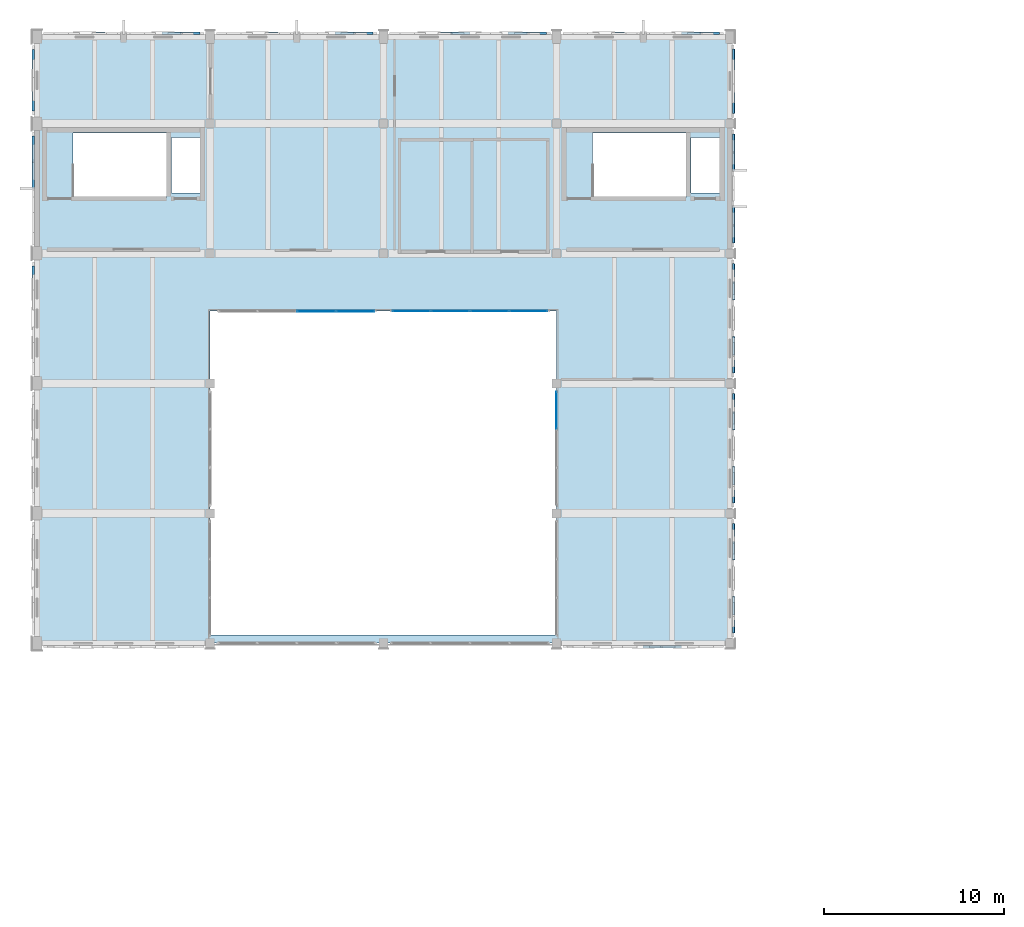
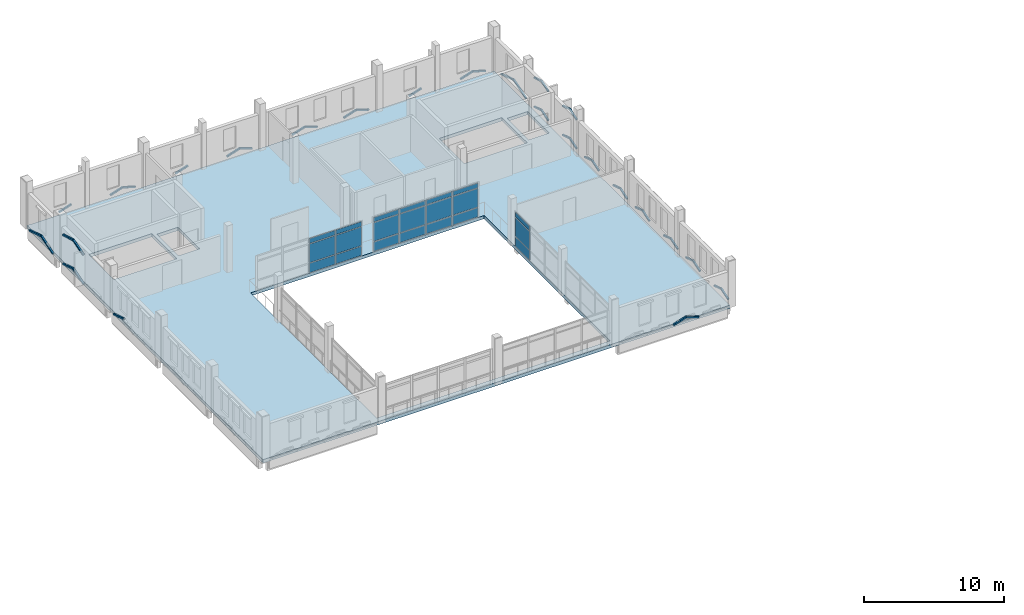
# One storey, part 14 of 24: 65 plates, 1 slab, 3 elements without a shape of their own.
"""IFC4 building model written with IfcOpenShell, lengths in metres."""

from ifc_helpers import new_model, si_unit, direction, frame, origin, origin_2d, place, context, subcontext, project, spatial, polyline, rectangle, hollow_rectangle, outline, extrude, material, layer, layer_set, material_profile, profile_set, type_object, element, aggregate, save


model = new_model("IFC4")

# Units and contexts
model_context = context("Model", 3, precision=1e-05, world=origin(), true_north=direction((0.0, 1.0)))
body_context = subcontext(model_context, "Body", "Model", "MODEL_VIEW")
ifc_project = project(units=[si_unit("LENGTHUNIT", "METRE"), si_unit("AREAUNIT", "SQUARE_METRE"), si_unit("VOLUMEUNIT", "CUBIC_METRE"), si_unit("PLANEANGLEUNIT", "RADIAN"), si_unit("MASSUNIT", "GRAM", prefix="KILO")], contexts=[model_context])

# Site, building, storey
site_placement = place(None, origin())
site = spatial("IfcSite", under=ifc_project, at=site_placement, CompositionType="ELEMENT")
building_placement = place(site_placement, origin())
building = spatial("IfcBuilding", under=site, at=building_placement, Name="Asteropetra Specialist Clinic", CompositionType="ELEMENT")
storey_placement = place(building_placement, frame((0.0, 0.0, 20.739990234375)))
storey = spatial("IfcBuildingStorey", under=building, at=storey_placement, Name="L05", CompositionType="ELEMENT", Elevation=20.739990234375)

# Plates
ifc_material_1 = material(Name="Chevron emerald aluminium 6063-T6", Category="aluminium")
ifc_material_profile = material_profile(ifc_material_1, hollow_rectangle(XDim=0.139892578125, YDim=0.139892578125, WallThickness=0.008056640625, InnerFilletRadius=0.008056640625, OuterFilletRadius=0.01611328125, at=origin_2d()), Name="SHS 140x140x8.0")
ifc_profile_set = profile_set([ifc_material_profile], Name="Chevron emerald aluminium 6063-T6")
plate_type_1 = type_object("IfcPlateType", Name="CHV-RIB-140", PredefinedType="SHEET", material=ifc_profile_set)
plate_1_placement = place(storey_placement, frame((9.010009765625, 110.60693359375, 0.080078125), z_axis=(-0.952086993927, 0.0, 0.30582733036), x_axis=(0.0, -1.0, 0.0)))
element("IfcPlate", 1, at=plate_1_placement, inside=storey, type_object=plate_type_1, Name="Chevron Facade Screen Fin CVR-1651", PredefinedType="SHEET", context=body_context, shape_type="SweptSolid", body=[
    extrude(hollow_rectangle(XDim=0.139892578125, YDim=0.139892578125, WallThickness=0.008056640625, InnerFilletRadius=0.008056640625, OuterFilletRadius=0.01611328125, at=origin_2d()), origin(), (0.0, 0.0, 1.0), 1.08642578125),
])
plate_2_placement = place(storey_placement, frame((7.9755859375, 110.60693359375, 0.412353515625), z_axis=(-0.952065970179, 0.0, -0.305892772761), x_axis=(0.0, -1.0, 0.0)))
element("IfcPlate", 2, at=plate_2_placement, inside=storey, type_object=plate_type_1, Name="Chevron Facade Screen Fin CVR-1652", PredefinedType="SHEET", context=body_context, shape_type="SweptSolid", body=[
    extrude(hollow_rectangle(XDim=0.139892578125, YDim=0.139892578125, WallThickness=0.008056640625, InnerFilletRadius=0.008056640625, OuterFilletRadius=0.01611328125, at=origin_2d()), origin(), (0.0, 0.0, 1.0), 1.086181640625),
])
plate_3_placement = place(storey_placement, frame((3.758056640625, 110.60693359375, 0.412353515625), z_axis=(-0.952086993927, 0.0, -0.30582733036), x_axis=(0.0, -1.0, 0.0)))
element("IfcPlate", 3, at=plate_3_placement, inside=storey, type_object=plate_type_1, Name="Chevron Facade Screen Fin CVR-1653", PredefinedType="SHEET", context=body_context, shape_type="SweptSolid", body=[
    extrude(hollow_rectangle(XDim=0.139892578125, YDim=0.139892578125, WallThickness=0.008056640625, InnerFilletRadius=0.008056640625, OuterFilletRadius=0.01611328125, at=origin_2d()), origin(), (0.0, 0.0, 1.0), 1.08642578125),
])
for number, where, z_axis, x_axis, name in (
    (4, (18.610107421875, 110.60693359375, 0.080078125), (-0.952098462736, 0.0, 0.305791623914), (0.0, -1.0, 0.0), "Chevron Facade Screen Fin CVR-1654"),
    (5, (17.572509765625, 110.60693359375, 0.413330078125), (-0.952098462736, 0.0, -0.305791623914), (0.0, -1.0, 0.0), "Chevron Facade Screen Fin CVR-1655"),
    (6, (13.342529296875, 110.60693359375, 0.413330078125), (-0.952098462736, 0.0, -0.305791623914), (0.0, -1.0, 0.0), "Chevron Facade Screen Fin CVR-1656"),
):
    element("IfcPlate", number, at=place(storey_placement, frame(where, z_axis=z_axis, x_axis=x_axis)), inside=storey, type_object=plate_type_1, Name=name, PredefinedType="SHEET", context=body_context, shape_type="SweptSolid", body=[
        extrude(hollow_rectangle(XDim=0.139892578125, YDim=0.139892578125, WallThickness=0.008056640625, InnerFilletRadius=0.008056640625, OuterFilletRadius=0.01611328125, at=origin_2d()), origin(), (0.0, 0.0, 1.0), 1.08984375),
    ])
plate_4_placement = place(storey_placement, frame((28.2099609375, 110.60693359375, 0.080078125), z_axis=(-0.952077507958, 0.0, 0.305856860052), x_axis=(0.0, -1.0, 0.0)))
element("IfcPlate", 7, at=plate_4_placement, inside=storey, type_object=plate_type_1, Name="Chevron Facade Screen Fin CVR-1657", PredefinedType="SHEET", context=body_context, shape_type="SweptSolid", body=[
    extrude(hollow_rectangle(XDim=0.139892578125, YDim=0.139892578125, WallThickness=0.008056640625, InnerFilletRadius=0.008056640625, OuterFilletRadius=0.01611328125, at=origin_2d()), origin(), (0.0, 0.0, 1.0), 1.089599609375),
])
for number, where, z_axis, x_axis, name in (
    (8, (27.172607421875, 110.60693359375, 0.413330078125), (-0.952098462736, 0.0, -0.305791623914), (0.0, -1.0, 0.0), "Chevron Facade Screen Fin CVR-1658"),
    (9, (23.97998046875, 110.60693359375, 0.080078125), (-0.952098462736, 0.0, 0.305791623914), (0.0, -1.0, 0.0), "Chevron Facade Screen Fin CVR-1659"),
):
    element("IfcPlate", number, at=place(storey_placement, frame(where, z_axis=z_axis, x_axis=x_axis)), inside=storey, type_object=plate_type_1, Name=name, PredefinedType="SHEET", context=body_context, shape_type="SweptSolid", body=[
        extrude(hollow_rectangle(XDim=0.139892578125, YDim=0.139892578125, WallThickness=0.008056640625, InnerFilletRadius=0.008056640625, OuterFilletRadius=0.01611328125, at=origin_2d()), origin(), (0.0, 0.0, 1.0), 1.08984375),
    ])
for number, where, z_axis, x_axis, name in (
    (10, (22.9423828125, 110.60693359375, 0.413330078125), (-0.952077507958, 0.0, -0.305856860052), (0.0, -1.0, 0.0), "Chevron Facade Screen Fin CVR-1660"),
    (11, (33.6201171875, 76.593017578125, 0.080078125), (0.952077507958, 0.0, 0.305856860052), (0.0, 1.0, 0.0), "Chevron Facade Screen Fin CVR-1663"),
):
    element("IfcPlate", number, at=place(storey_placement, frame(where, z_axis=z_axis, x_axis=x_axis)), inside=storey, type_object=plate_type_1, Name=name, PredefinedType="SHEET", context=body_context, shape_type="SweptSolid", body=[
        extrude(hollow_rectangle(XDim=0.139892578125, YDim=0.139892578125, WallThickness=0.008056640625, InnerFilletRadius=0.008056640625, OuterFilletRadius=0.01611328125, at=origin_2d()), origin(), (0.0, 0.0, 1.0), 1.089599609375),
    ])
for number, where, z_axis, x_axis, name in (
    (12, (34.657470703125, 76.593017578125, 0.413330078125), (0.952098462736, 0.0, -0.305791623914), (0.0, 1.0, 0.0), "Chevron Facade Screen Fin CVR-1664"),
    (13, (37.81005859375, 110.60693359375, 0.080078125), (-0.952098462736, 0.0, 0.305791623914), (0.0, -1.0, 0.0), "Chevron Facade Screen Fin CVR-1665"),
):
    element("IfcPlate", number, at=place(storey_placement, frame(where, z_axis=z_axis, x_axis=x_axis)), inside=storey, type_object=plate_type_1, Name=name, PredefinedType="SHEET", context=body_context, shape_type="SweptSolid", body=[
        extrude(hollow_rectangle(XDim=0.139892578125, YDim=0.139892578125, WallThickness=0.008056640625, InnerFilletRadius=0.008056640625, OuterFilletRadius=0.01611328125, at=origin_2d()), origin(), (0.0, 0.0, 1.0), 1.08984375),
    ])
plate_5_placement = place(storey_placement, frame((36.7724609375, 110.60693359375, 0.413330078125), z_axis=(-0.952077507958, 0.0, -0.305856860052), x_axis=(0.0, -1.0, 0.0)))
element("IfcPlate", 14, at=plate_5_placement, inside=storey, type_object=plate_type_1, Name="Chevron Facade Screen Fin CVR-1666", PredefinedType="SHEET", context=body_context, shape_type="SweptSolid", body=[
    extrude(hollow_rectangle(XDim=0.139892578125, YDim=0.139892578125, WallThickness=0.008056640625, InnerFilletRadius=0.008056640625, OuterFilletRadius=0.01611328125, at=origin_2d()), origin(), (0.0, 0.0, 1.0), 1.089599609375),
])
plate_6_placement = place(storey_placement, frame((32.54248046875, 110.60693359375, 0.413330078125), z_axis=(-0.952098462736, 0.0, -0.305791623914), x_axis=(0.0, -1.0, 0.0)))
element("IfcPlate", 15, at=plate_6_placement, inside=storey, type_object=plate_type_1, Name="Chevron Facade Screen Fin CVR-1667", PredefinedType="SHEET", context=body_context, shape_type="SweptSolid", body=[
    extrude(hollow_rectangle(XDim=0.139892578125, YDim=0.139892578125, WallThickness=0.008056640625, InnerFilletRadius=0.008056640625, OuterFilletRadius=0.01611328125, at=origin_2d()), origin(), (0.0, 0.0, 1.0), 1.08984375),
])
for number, where, z_axis, x_axis, name in (
    (16, (38.60693359375, 77.389892578125, 0.080078125), (0.0, 0.95198702696, 0.306138368226), (-1.0, 0.0, 0.0), "Chevron Facade Screen Fin CVR-1670"),
    (17, (38.60693359375, 78.3798828125, 0.3984375), (0.0, 0.952009022272, -0.306069961795), (-1.0, 0.0, 0.0), "Chevron Facade Screen Fin CVR-1671"),
    (18, (38.60693359375, 81.429931640625, 0.080078125), (0.0, 0.95198702696, 0.306138368226), (-1.0, 0.0, 0.0), "Chevron Facade Screen Fin CVR-1672"),
    (19, (38.60693359375, 82.419921875, 0.3984375), (0.0, 0.95198702696, -0.306138368226), (-1.0, 0.0, 0.0), "Chevron Facade Screen Fin CVR-1673"),
    (20, (38.60693359375, 84.590087890625, 0.080078125), (0.0, 0.95198702696, 0.306138368226), (-1.0, 0.0, 0.0), "Chevron Facade Screen Fin CVR-1676"),
    (21, (38.60693359375, 85.580078125, 0.3984375), (0.0, 0.95198702696, -0.306138368226), (-1.0, 0.0, 0.0), "Chevron Facade Screen Fin CVR-1677"),
    (22, (38.60693359375, 88.6298828125, 0.080078125), (0.0, 0.952009022272, 0.306069961795), (-1.0, 0.0, 0.0), "Chevron Facade Screen Fin CVR-1678"),
    (23, (38.60693359375, 89.6201171875, 0.3984375), (0.0, 0.95198702696, -0.306138368226), (-1.0, 0.0, 0.0), "Chevron Facade Screen Fin CVR-1679"),
):
    element("IfcPlate", number, at=place(storey_placement, frame(where, z_axis=z_axis, x_axis=x_axis)), inside=storey, type_object=plate_type_1, Name=name, PredefinedType="SHEET", context=body_context, shape_type="SweptSolid", body=[
        extrude(hollow_rectangle(XDim=0.139892578125, YDim=0.139892578125, WallThickness=0.008056640625, InnerFilletRadius=0.008056640625, OuterFilletRadius=0.01611328125, at=origin_2d()), origin(), (0.0, 0.0, 1.0), 1.0400390625),
    ])
plate_7_placement = place(storey_placement, frame((-0.20703125, 97.68505859375, 0.080078125), z_axis=(0.0, -0.952507040007, 0.304516565619), x_axis=(1.0, 0.0, 0.0)))
element("IfcPlate", 24, at=plate_7_placement, inside=storey, type_object=plate_type_1, Name="Chevron Facade Screen Fin CVR-1680", PredefinedType="SHEET", context=body_context, shape_type="SweptSolid", body=[
    extrude(hollow_rectangle(XDim=0.139892578125, YDim=0.139892578125, WallThickness=0.008056640625, InnerFilletRadius=0.008056640625, OuterFilletRadius=0.01611328125, at=origin_2d()), origin(), (0.0, 0.0, 1.0), 1.504150390625),
])
for number, where, z_axis, x_axis, name in (
    (25, (38.60693359375, 91.7900390625, 0.080078125), (0.0, 0.95198702696, 0.306138368226), (-1.0, 0.0, 0.0), "Chevron Facade Screen Fin CVR-1682"),
    (26, (38.60693359375, 92.780029296875, 0.3984375), (0.0, 0.95198702696, -0.306138368226), (-1.0, 0.0, 0.0), "Chevron Facade Screen Fin CVR-1683"),
    (27, (38.60693359375, 95.830078125, 0.080078125), (0.0, 0.95198702696, 0.306138368226), (-1.0, 0.0, 0.0), "Chevron Facade Screen Fin CVR-1684"),
    (28, (38.60693359375, 96.820068359375, 0.3984375), (0.0, 0.95198702696, -0.306138368226), (-1.0, 0.0, 0.0), "Chevron Facade Screen Fin CVR-1685"),
):
    element("IfcPlate", number, at=place(storey_placement, frame(where, z_axis=z_axis, x_axis=x_axis)), inside=storey, type_object=plate_type_1, Name=name, PredefinedType="SHEET", context=body_context, shape_type="SweptSolid", body=[
        extrude(hollow_rectangle(XDim=0.139892578125, YDim=0.139892578125, WallThickness=0.008056640625, InnerFilletRadius=0.008056640625, OuterFilletRadius=0.01611328125, at=origin_2d()), origin(), (0.0, 0.0, 1.0), 1.0400390625),
    ])
plate_8_placement = place(storey_placement, frame((-0.20703125, 104.885009765625, 0.080078125), z_axis=(0.0, -0.952507040007, 0.304516565619), x_axis=(1.0, 0.0, 0.0)))
element("IfcPlate", 29, at=plate_8_placement, inside=storey, type_object=plate_type_1, Name="Chevron Facade Screen Fin CVR-1686", PredefinedType="SHEET", context=body_context, shape_type="SweptSolid", body=[
    extrude(hollow_rectangle(XDim=0.139892578125, YDim=0.139892578125, WallThickness=0.008056640625, InnerFilletRadius=0.008056640625, OuterFilletRadius=0.01611328125, at=origin_2d()), origin(), (0.0, 0.0, 1.0), 1.504150390625),
])
plate_9_placement = place(storey_placement, frame((-0.20703125, 103.452392578125, 0.5380859375), z_axis=(0.0, -0.952491984317, -0.304563654777), x_axis=(1.0, 0.0, 0.0)))
element("IfcPlate", 30, at=plate_9_placement, inside=storey, type_object=plate_type_1, Name="Chevron Facade Screen Fin CVR-1687", PredefinedType="SHEET", context=body_context, shape_type="SweptSolid", body=[
    extrude(hollow_rectangle(XDim=0.139892578125, YDim=0.139892578125, WallThickness=0.008056640625, InnerFilletRadius=0.008056640625, OuterFilletRadius=0.01611328125, at=origin_2d()), origin(), (0.0, 0.0, 1.0), 1.50390625),
])
for number, where, z_axis, x_axis, name in (
    (31, (-0.20703125, 104.885009765625, 2.610107421875), (0.0, -0.961418771746, 0.275088977124), (1.0, 0.0, 0.0), "Chevron Facade Screen Fin CVR-1688"),
    (32, (-0.20703125, 103.452392578125, 3.02001953125), (0.0, -0.961406370324, -0.275132315625), (1.0, 0.0, 0.0), "Chevron Facade Screen Fin CVR-1689"),
):
    element("IfcPlate", number, at=place(storey_placement, frame(where, z_axis=z_axis, x_axis=x_axis)), inside=storey, type_object=plate_type_1, Name=name, PredefinedType="SHEET", context=body_context, shape_type="SweptSolid", body=[
        extrude(hollow_rectangle(XDim=0.139892578125, YDim=0.139892578125, WallThickness=0.008056640625, InnerFilletRadius=0.008056640625, OuterFilletRadius=0.01611328125, at=origin_2d()), origin(), (0.0, 0.0, 1.0), 1.489990234375),
    ])
for number, where, z_axis, x_axis, name in (
    (33, (38.60693359375, 98.989990234375, 0.080078125), (0.0, 0.95198702696, 0.306138368226), (-1.0, 0.0, 0.0), "Chevron Facade Screen Fin CVR-1690"),
    (34, (38.60693359375, 99.97998046875, 0.3984375), (0.0, 0.95198702696, -0.306138368226), (-1.0, 0.0, 0.0), "Chevron Facade Screen Fin CVR-1691"),
    (35, (38.60693359375, 98.989990234375, 2.610107421875), (0.0, 0.95198702696, 0.306138368226), (-1.0, 0.0, 0.0), "Chevron Facade Screen Fin CVR-1692"),
    (36, (38.60693359375, 99.97998046875, 2.928466796875), (0.0, 0.95198702696, -0.306138368226), (-1.0, 0.0, 0.0), "Chevron Facade Screen Fin CVR-1693"),
    (37, (38.60693359375, 103.030029296875, 0.080078125), (0.0, 0.95198702696, 0.306138368226), (-1.0, 0.0, 0.0), "Chevron Facade Screen Fin CVR-1694"),
    (38, (38.60693359375, 104.02001953125, 0.3984375), (0.0, 0.95198702696, -0.306138368226), (-1.0, 0.0, 0.0), "Chevron Facade Screen Fin CVR-1695"),
    (39, (38.60693359375, 103.030029296875, 2.610107421875), (0.0, 0.95198702696, 0.306138368226), (-1.0, 0.0, 0.0), "Chevron Facade Screen Fin CVR-1696"),
    (40, (38.60693359375, 104.02001953125, 2.928466796875), (0.0, 0.95198702696, -0.306138368226), (-1.0, 0.0, 0.0), "Chevron Facade Screen Fin CVR-1697"),
):
    element("IfcPlate", number, at=place(storey_placement, frame(where, z_axis=z_axis, x_axis=x_axis)), inside=storey, type_object=plate_type_1, Name=name, PredefinedType="SHEET", context=body_context, shape_type="SweptSolid", body=[
        extrude(hollow_rectangle(XDim=0.139892578125, YDim=0.139892578125, WallThickness=0.008056640625, InnerFilletRadius=0.008056640625, OuterFilletRadius=0.01611328125, at=origin_2d()), origin(), (0.0, 0.0, 1.0), 1.0400390625),
    ])
for number, where, z_axis, x_axis, name in (
    (41, (-0.20703125, 109.68505859375, 0.080078125), (0.0, -0.952689829529, 0.303944219737), (1.0, 0.0, 0.0), "Chevron Facade Screen Fin CVR-1698"),
    (42, (-0.20703125, 108.0, 0.61767578125), (0.0, -0.952689829529, -0.303944219737), (1.0, 0.0, 0.0), "Chevron Facade Screen Fin CVR-1699"),
):
    element("IfcPlate", number, at=place(storey_placement, frame(where, z_axis=z_axis, x_axis=x_axis)), inside=storey, type_object=plate_type_1, Name=name, PredefinedType="SHEET", context=body_context, shape_type="SweptSolid", body=[
        extrude(hollow_rectangle(XDim=0.139892578125, YDim=0.139892578125, WallThickness=0.008056640625, InnerFilletRadius=0.008056640625, OuterFilletRadius=0.01611328125, at=origin_2d()), origin(), (0.0, 0.0, 1.0), 1.768798828125),
    ])
for number, where, z_axis, x_axis, name in (
    (43, (38.60693359375, 106.18994140625, 0.080078125), (0.0, 0.952764222419, 0.303710942311), (-1.0, 0.0, 0.0), "Chevron Facade Screen Fin CVR-1700"),
    (44, (38.60693359375, 107.949951171875, 0.64111328125), (0.0, 0.952764222419, -0.303710942311), (-1.0, 0.0, 0.0), "Chevron Facade Screen Fin CVR-1701"),
):
    element("IfcPlate", number, at=place(storey_placement, frame(where, z_axis=z_axis, x_axis=x_axis)), inside=storey, type_object=plate_type_1, Name=name, PredefinedType="SHEET", context=body_context, shape_type="SweptSolid", body=[
        extrude(hollow_rectangle(XDim=0.139892578125, YDim=0.139892578125, WallThickness=0.008056640625, InnerFilletRadius=0.008056640625, OuterFilletRadius=0.01611328125, at=origin_2d()), origin(), (0.0, 0.0, 1.0), 1.84716796875),
    ])

# Curtain wall, plates
ifc_material_2 = material(Name="Aluminium and low-E glass", Category="aluminium")
ifc_layer_1 = layer(ifc_material_2, 0.179931640625)
ifc_layer_set_1 = layer_set([ifc_layer_1], Name="Aluminium and low-E glass")
curtain_wall_type_1 = type_object("IfcCurtainWallType", Name="CW-SYS-04", PredefinedType="USERDEFINED", material=ifc_layer_set_1)
curtain_wall_1_placement = place(storey_placement, origin())
curtain_wall_1 = element("IfcCurtainWall", 45, at=curtain_wall_1_placement, inside=storey, type_object=curtain_wall_type_1, Name="Curtain Wall CW-060", ObjectType="UNITISED CURTAIN WALL", PredefinedType="USERDEFINED")
ifc_material_3 = material(Name="Low-E double glazing", Category="glass")
ifc_layer_2 = layer(ifc_material_3, 0.028076171875)
ifc_layer_set_2 = layer_set([ifc_layer_2], Name="Low-E double glazing")
plate_type_2 = type_object("IfcPlateType", Name="CWP-GLZ-28", PredefinedType="CURTAIN_PANEL", material=ifc_layer_set_2)
plate_10_placement = place(storey_placement, frame((27.251220703125, 95.199951171875, 0.074951171875), z_axis=(0.0, 0.0, 1.0), x_axis=(-1.0, 0.0, 0.0)))
plate_10 = element("IfcPlate", 46, at=plate_10_placement, type_object=plate_type_2, Name="CW-060 panel 1.1", PredefinedType="CURTAIN_PANEL", context=body_context, shape_type="SweptSolid", body=[
    extrude(rectangle(XDim=2.0673828125, YDim=0.028076171875, at=origin_2d()), origin(), (0.0, 0.0, 1.0), 0.78759765625),
])
plate_11_placement = place(storey_placement, frame((27.251220703125, 95.199951171875, 0.9375), z_axis=(0.0, 0.0, 1.0), x_axis=(-1.0, 0.0, 0.0)))
plate_11 = element("IfcPlate", 47, at=plate_11_placement, type_object=plate_type_2, Name="CW-060 panel 1.2", PredefinedType="CURTAIN_PANEL", context=body_context, shape_type="SweptSolid", body=[
    extrude(rectangle(XDim=2.0673828125, YDim=0.028076171875, at=origin_2d()), origin(), (0.0, 0.0, 1.0), 1.60498046875),
])
plate_12_placement = place(storey_placement, frame((27.251220703125, 95.199951171875, 2.61767578125), z_axis=(0.0, 0.0, 1.0), x_axis=(-1.0, 0.0, 0.0)))
plate_12 = element("IfcPlate", 48, at=plate_12_placement, type_object=plate_type_2, Name="CW-060 panel 1.3", PredefinedType="CURTAIN_PANEL", context=body_context, shape_type="SweptSolid", body=[
    extrude(rectangle(XDim=2.0673828125, YDim=0.028076171875, at=origin_2d()), origin(), (0.0, 0.0, 1.0), 0.387451171875),
])
plate_13_placement = place(storey_placement, frame((25.090087890625, 95.199951171875, 0.074951171875), z_axis=(0.0, 0.0, 1.0), x_axis=(-1.0, 0.0, 0.0)))
plate_13 = element("IfcPlate", 49, at=plate_13_placement, type_object=plate_type_2, Name="CW-060 panel 2.1", PredefinedType="CURTAIN_PANEL", context=body_context, shape_type="SweptSolid", body=[
    extrude(rectangle(XDim=2.10498046875, YDim=0.028076171875, at=origin_2d()), origin(), (0.0, 0.0, 1.0), 0.78759765625),
])
plate_14_placement = place(storey_placement, frame((25.090087890625, 95.199951171875, 0.9375), z_axis=(0.0, 0.0, 1.0), x_axis=(-1.0, 0.0, 0.0)))
plate_14 = element("IfcPlate", 50, at=plate_14_placement, type_object=plate_type_2, Name="CW-060 panel 2.2", PredefinedType="CURTAIN_PANEL", context=body_context, shape_type="SweptSolid", body=[
    extrude(rectangle(XDim=2.10498046875, YDim=0.028076171875, at=origin_2d()), origin(), (0.0, 0.0, 1.0), 1.60498046875),
])
plate_15_placement = place(storey_placement, frame((25.090087890625, 95.199951171875, 2.61767578125), z_axis=(0.0, 0.0, 1.0), x_axis=(-1.0, 0.0, 0.0)))
plate_15 = element("IfcPlate", 51, at=plate_15_placement, type_object=plate_type_2, Name="CW-060 panel 2.3", PredefinedType="CURTAIN_PANEL", context=body_context, shape_type="SweptSolid", body=[
    extrude(rectangle(XDim=2.10498046875, YDim=0.028076171875, at=origin_2d()), origin(), (0.0, 0.0, 1.0), 0.387451171875),
])
plate_16_placement = place(storey_placement, frame((22.909912109375, 95.199951171875, 0.074951171875), z_axis=(0.0, 0.0, 1.0), x_axis=(-1.0, 0.0, 0.0)))
plate_16 = element("IfcPlate", 52, at=plate_16_placement, type_object=plate_type_2, Name="CW-060 panel 3.1", PredefinedType="CURTAIN_PANEL", context=body_context, shape_type="SweptSolid", body=[
    extrude(rectangle(XDim=2.10498046875, YDim=0.028076171875, at=origin_2d()), origin(), (0.0, 0.0, 1.0), 0.78759765625),
])
plate_17_placement = place(storey_placement, frame((22.909912109375, 95.199951171875, 0.9375), z_axis=(0.0, 0.0, 1.0), x_axis=(-1.0, 0.0, 0.0)))
plate_17 = element("IfcPlate", 53, at=plate_17_placement, type_object=plate_type_2, Name="CW-060 panel 3.2", PredefinedType="CURTAIN_PANEL", context=body_context, shape_type="SweptSolid", body=[
    extrude(rectangle(XDim=2.10498046875, YDim=0.028076171875, at=origin_2d()), origin(), (0.0, 0.0, 1.0), 1.60498046875),
])
plate_18_placement = place(storey_placement, frame((22.909912109375, 95.199951171875, 2.61767578125), z_axis=(0.0, 0.0, 1.0), x_axis=(-1.0, 0.0, 0.0)))
plate_18 = element("IfcPlate", 54, at=plate_18_placement, type_object=plate_type_2, Name="CW-060 panel 3.3", PredefinedType="CURTAIN_PANEL", context=body_context, shape_type="SweptSolid", body=[
    extrude(rectangle(XDim=2.10498046875, YDim=0.028076171875, at=origin_2d()), origin(), (0.0, 0.0, 1.0), 0.387451171875),
])
plate_19_placement = place(storey_placement, frame((20.748779296875, 95.199951171875, 0.074951171875), z_axis=(0.0, 0.0, 1.0), x_axis=(-1.0, 0.0, 0.0)))
plate_19 = element("IfcPlate", 55, at=plate_19_placement, type_object=plate_type_2, Name="CW-060 panel 4.1", PredefinedType="CURTAIN_PANEL", context=body_context, shape_type="SweptSolid", body=[
    extrude(rectangle(XDim=2.0673828125, YDim=0.028076171875, at=origin_2d()), origin(), (0.0, 0.0, 1.0), 0.78759765625),
])
plate_20_placement = place(storey_placement, frame((20.748779296875, 95.199951171875, 0.9375), z_axis=(0.0, 0.0, 1.0), x_axis=(-1.0, 0.0, 0.0)))
plate_20 = element("IfcPlate", 56, at=plate_20_placement, type_object=plate_type_2, Name="CW-060 panel 4.2", PredefinedType="CURTAIN_PANEL", context=body_context, shape_type="SweptSolid", body=[
    extrude(rectangle(XDim=2.0673828125, YDim=0.028076171875, at=origin_2d()), origin(), (0.0, 0.0, 1.0), 1.60498046875),
])
plate_21_placement = place(storey_placement, frame((20.748779296875, 95.199951171875, 2.61767578125), z_axis=(0.0, 0.0, 1.0), x_axis=(-1.0, 0.0, 0.0)))
plate_21 = element("IfcPlate", 57, at=plate_21_placement, type_object=plate_type_2, Name="CW-060 panel 4.3", PredefinedType="CURTAIN_PANEL", context=body_context, shape_type="SweptSolid", body=[
    extrude(rectangle(XDim=2.0673828125, YDim=0.028076171875, at=origin_2d()), origin(), (0.0, 0.0, 1.0), 0.387451171875),
])
aggregate(curtain_wall_1, [plate_10, plate_11, plate_12, plate_13, plate_14, plate_15, plate_16, plate_17, plate_18, plate_19, plate_20, plate_21])

ifc_material_4 = material(Name="Aluminium and low-E glass", Category="aluminium")
ifc_layer_3 = layer(ifc_material_4, 0.135009765625)
ifc_layer_set_3 = layer_set([ifc_layer_3], Name="Aluminium and low-E glass")
curtain_wall_type_2 = type_object("IfcCurtainWallType", Name="CW-SYS-06", PredefinedType="USERDEFINED", material=ifc_layer_set_3)
curtain_wall_2_placement = place(storey_placement, origin())
curtain_wall_2 = element("IfcCurtainWall", 58, at=curtain_wall_2_placement, inside=storey, type_object=curtain_wall_type_2, Name="Curtain Wall CW-064", ObjectType="UNITISED CURTAIN WALL", PredefinedType="USERDEFINED")
plate_22_placement = place(storey_placement, frame((28.800048828125, 89.71044921875, 0.06494140625), z_axis=(0.0, 0.0, 1.0), x_axis=(0.0, 1.0, 0.0)))
plate_22 = element("IfcPlate", 59, at=plate_22_placement, type_object=plate_type_2, Name="CW-064 panel 3.1", PredefinedType="CURTAIN_PANEL", context=body_context, shape_type="SweptSolid", body=[
    extrude(rectangle(XDim=2.029052734375, YDim=0.028076171875, at=origin_2d()), origin(), (0.0, 0.0, 1.0), 0.802490234375),
])
plate_23_placement = place(storey_placement, frame((28.800048828125, 89.71044921875, 0.9326171875), z_axis=(0.0, 0.0, 1.0), x_axis=(0.0, 1.0, 0.0)))
plate_23 = element("IfcPlate", 60, at=plate_23_placement, type_object=plate_type_2, Name="CW-064 panel 3.2", PredefinedType="CURTAIN_PANEL", context=body_context, shape_type="SweptSolid", body=[
    extrude(rectangle(XDim=2.029052734375, YDim=0.028076171875, at=origin_2d()), origin(), (0.0, 0.0, 1.0), 1.614990234375),
])
plate_24_placement = place(storey_placement, frame((28.800048828125, 89.71044921875, 2.6123046875), z_axis=(0.0, 0.0, 1.0), x_axis=(0.0, 1.0, 0.0)))
plate_24 = element("IfcPlate", 61, at=plate_24_placement, type_object=plate_type_2, Name="CW-064 panel 3.3", PredefinedType="CURTAIN_PANEL", context=body_context, shape_type="SweptSolid", body=[
    extrude(rectangle(XDim=2.029052734375, YDim=0.028076171875, at=origin_2d()), origin(), (0.0, 0.0, 1.0), 0.402587890625),
])
aggregate(curtain_wall_2, [plate_22, plate_23, plate_24])

ifc_material_5 = material(Name="Aluminium and low-E glass", Category="aluminium")
ifc_layer_4 = layer(ifc_material_5, 0.135009765625)
ifc_layer_set_4 = layer_set([ifc_layer_4], Name="Aluminium and low-E glass")
curtain_wall_type_3 = type_object("IfcCurtainWallType", Name="CW-SYS-03", PredefinedType="USERDEFINED", material=ifc_layer_set_4)
curtain_wall_3_placement = place(storey_placement, origin())
curtain_wall_3 = element("IfcCurtainWall", 62, at=curtain_wall_3_placement, inside=storey, type_object=curtain_wall_type_3, Name="Curtain Wall CW-058", ObjectType="UNITISED CURTAIN WALL", PredefinedType="USERDEFINED")
ifc_material_6 = material(Name="Solar-control triple glazing", Category="glass")
ifc_layer_5 = layer(ifc_material_6, 0.035888671875)
ifc_layer_set_5 = layer_set([ifc_layer_5], Name="Solar-control triple glazing")
plate_type_3 = type_object("IfcPlateType", Name="CWP-GLZ-36", PredefinedType="CURTAIN_PANEL", material=ifc_layer_set_5)
plate_25_placement = place(storey_placement, frame((17.65380859375, 95.199951171875, 0.06494140625), z_axis=(0.0, 0.0, 1.0), x_axis=(-1.0, 0.0, 0.0)))
plate_25 = element("IfcPlate", 63, at=plate_25_placement, type_object=plate_type_3, Name="CW-058 panel 1.1", PredefinedType="CURTAIN_PANEL", context=body_context, shape_type="SweptSolid", body=[
    extrude(rectangle(XDim=2.08251953125, YDim=0.035888671875, at=origin_2d()), origin(), (0.0, 0.0, 1.0), 0.802490234375),
])
plate_26_placement = place(storey_placement, frame((17.65380859375, 95.199951171875, 0.9326171875), z_axis=(0.0, 0.0, 1.0), x_axis=(-1.0, 0.0, 0.0)))
plate_26 = element("IfcPlate", 64, at=plate_26_placement, type_object=plate_type_3, Name="CW-058 panel 1.2", PredefinedType="CURTAIN_PANEL", context=body_context, shape_type="SweptSolid", body=[
    extrude(rectangle(XDim=2.08251953125, YDim=0.035888671875, at=origin_2d()), origin(), (0.0, 0.0, 1.0), 1.614990234375),
])
plate_27_placement = place(storey_placement, frame((17.65380859375, 95.199951171875, 2.6123046875), z_axis=(0.0, 0.0, 1.0), x_axis=(-1.0, 0.0, 0.0)))
plate_27 = element("IfcPlate", 65, at=plate_27_placement, type_object=plate_type_3, Name="CW-058 panel 1.3", PredefinedType="CURTAIN_PANEL", context=body_context, shape_type="SweptSolid", body=[
    extrude(rectangle(XDim=2.08251953125, YDim=0.035888671875, at=origin_2d()), origin(), (0.0, 0.0, 1.0), 0.402587890625),
])
plate_28_placement = place(storey_placement, frame((15.489990234375, 95.199951171875, 0.06494140625), z_axis=(0.0, 0.0, 1.0), x_axis=(-1.0, 0.0, 0.0)))
plate_28 = element("IfcPlate", 66, at=plate_28_placement, type_object=plate_type_3, Name="CW-058 panel 2.1", PredefinedType="CURTAIN_PANEL", context=body_context, shape_type="SweptSolid", body=[
    extrude(rectangle(XDim=2.114990234375, YDim=0.035888671875, at=origin_2d()), origin(), (0.0, 0.0, 1.0), 0.802490234375),
])
plate_29_placement = place(storey_placement, frame((15.489990234375, 95.199951171875, 0.9326171875), z_axis=(0.0, 0.0, 1.0), x_axis=(-1.0, 0.0, 0.0)))
plate_29 = element("IfcPlate", 67, at=plate_29_placement, type_object=plate_type_3, Name="CW-058 panel 2.2", PredefinedType="CURTAIN_PANEL", context=body_context, shape_type="SweptSolid", body=[
    extrude(rectangle(XDim=2.114990234375, YDim=0.035888671875, at=origin_2d()), origin(), (0.0, 0.0, 1.0), 1.614990234375),
])
plate_30_placement = place(storey_placement, frame((15.489990234375, 95.199951171875, 2.6123046875), z_axis=(0.0, 0.0, 1.0), x_axis=(-1.0, 0.0, 0.0)))
plate_30 = element("IfcPlate", 68, at=plate_30_placement, type_object=plate_type_3, Name="CW-058 panel 2.3", PredefinedType="CURTAIN_PANEL", context=body_context, shape_type="SweptSolid", body=[
    extrude(rectangle(XDim=2.114990234375, YDim=0.035888671875, at=origin_2d()), origin(), (0.0, 0.0, 1.0), 0.402587890625),
])
aggregate(curtain_wall_3, [plate_25, plate_26, plate_27, plate_28, plate_29, plate_30])

# Slab
ifc_material_7 = material(Name="Concrete C35/45", Category="concrete")
ifc_layer_6 = layer(ifc_material_7, 0.280029296875)
ifc_layer_set_6 = layer_set([ifc_layer_6], Name="Concrete C35/45")
slab_type = type_object("IfcSlabType", Name="SLB-FLR-280", PredefinedType="FLOOR", material=ifc_layer_set_6)
slab_placement = place(storey_placement, frame((0.0, 0.0, -0.280029296875)))
element("IfcSlab", 69, at=slab_placement, inside=storey, type_object=slab_type, Name="Slab V4 L05", PredefinedType="FLOOR", context=body_context, shape_type="SweptSolid", body=[
    extrude(outline(polyline([(0.0, 76.800048828125), (38.39990234375, 76.800048828125), (38.39990234375, 110.39990234375), (0.0, 110.39990234375), (0.0, 76.800048828125)]), holes=[polyline([(9.60009765625, 77.25), (28.800048828125, 77.25), (28.800048828125, 95.199951171875), (9.60009765625, 95.199951171875), (9.60009765625, 77.25)]), polyline([(2.0, 101.5), (7.179931640625, 101.5), (7.179931640625, 105.080078125), (2.0, 105.080078125), (2.0, 101.5)]), polyline([(7.449951171875, 101.75), (9.199951171875, 101.75), (9.199951171875, 104.830078125), (7.449951171875, 104.830078125), (7.449951171875, 101.75)]), polyline([(30.800048828125, 101.5), (35.97998046875, 101.5), (35.97998046875, 105.080078125), (30.800048828125, 105.080078125), (30.800048828125, 101.5)]), polyline([(36.25, 101.75), (37.949951171875, 101.75), (37.949951171875, 104.830078125), (36.25, 104.830078125), (36.25, 101.75)])]), origin(), (0.0, 0.0, 1.0), 0.280029296875),
])

save(model, "model.ifc")
